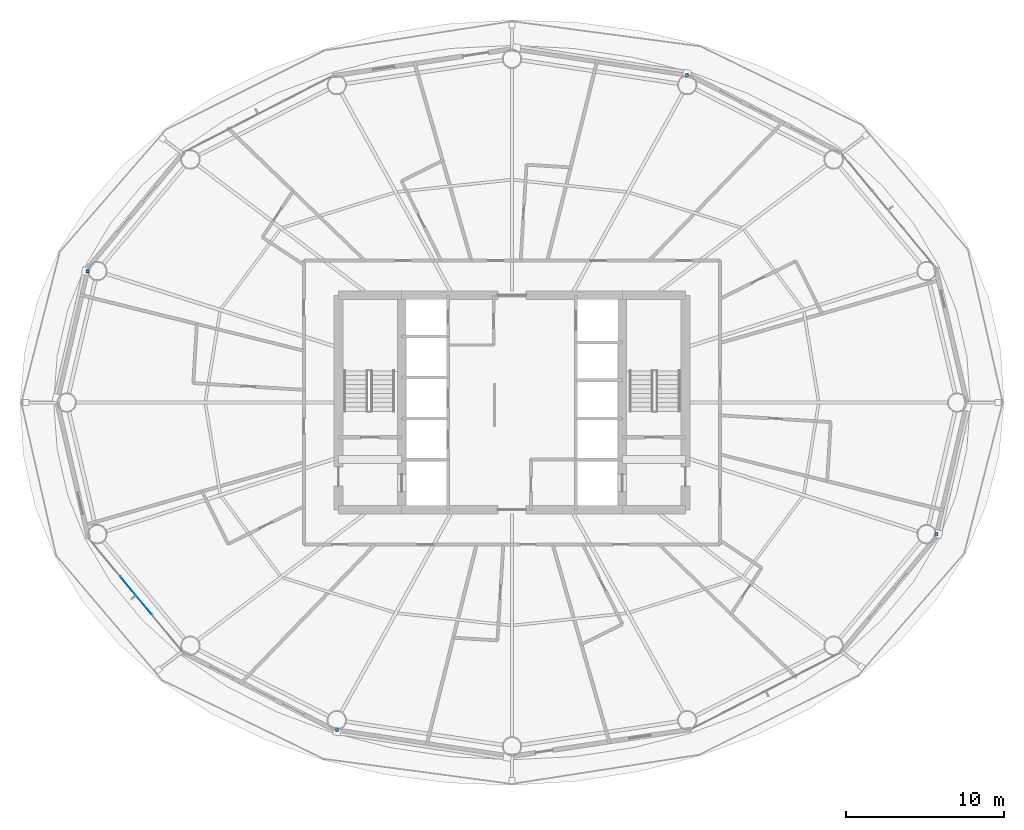
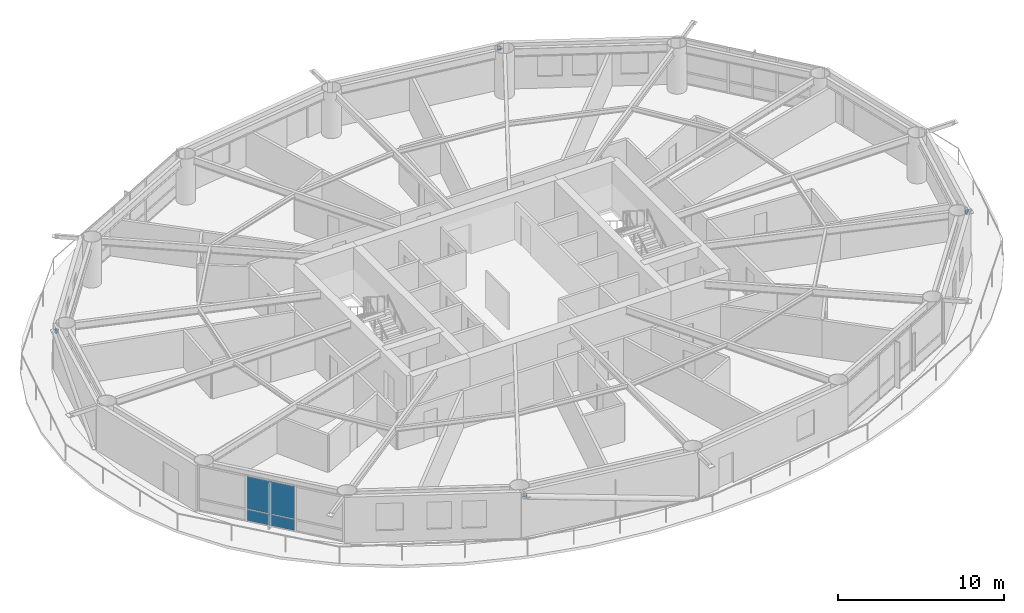
# One storey, part 13 of 24: 4 members, 2 plates, 1 element without a shape of its own.
"""IFC4 building model written with IfcOpenShell, lengths in metres."""

from ifc_helpers import new_model, si_unit, direction, frame, origin, origin_2d, place, context, subcontext, project, spatial, rectangle, hollow_rectangle, extrude, material, layer, layer_set, material_profile, profile_set, type_object, element, aggregate, save


model = new_model("IFC4")

# Units and contexts
model_context = context("Model", 3, precision=1e-05, world=origin(), true_north=direction((0.0, 1.0)))
body_context = subcontext(model_context, "Body", "Model", "MODEL_VIEW")
ifc_project = project(units=[si_unit("LENGTHUNIT", "METRE"), si_unit("AREAUNIT", "SQUARE_METRE"), si_unit("VOLUMEUNIT", "CUBIC_METRE"), si_unit("PLANEANGLEUNIT", "RADIAN"), si_unit("MASSUNIT", "GRAM", prefix="KILO")], contexts=[model_context])

# Site, building, storey
site_placement = place(None, origin())
site = spatial("IfcSite", under=ifc_project, at=site_placement, CompositionType="ELEMENT")
building_placement = place(site_placement, origin())
building = spatial("IfcBuilding", under=site, at=building_placement, Name="Sarneth Arch Tower", CompositionType="ELEMENT")
storey_placement = place(building_placement, frame((0.0, 0.0, 94.800048828125)))
storey = spatial("IfcBuildingStorey", under=building, at=storey_placement, Name="L23", CompositionType="ELEMENT", Elevation=94.800048828125)

# Members
ifc_material_1 = material(Name="Steel S355", Category="steel")
ifc_material_profile = material_profile(ifc_material_1, hollow_rectangle(XDim=0.199951171875, YDim=0.300048828125, WallThickness=0.012451171875, InnerFilletRadius=0.018798828125, OuterFilletRadius=0.03125, at=origin_2d()), Name="RHS300x200x12.5")
ifc_profile_set = profile_set([ifc_material_profile], Name="Steel S355")
member_type = type_object("IfcMemberType", Name="MEM-CANT-STRUT", PredefinedType="STRUT", material=ifc_profile_set)
member_1_placement = place(storey_placement, frame((59.09716796875, 62.680419921875, 3.0126953125), z_axis=(-0.024515790152, 0.999699442849, 0.0), x_axis=(-0.999699442849, -0.024515790152, 0.0)))
element("IfcMember", 1, at=member_1_placement, inside=storey, type_object=member_type, Name="L23 Exoskeleton brace node strut 04B", PredefinedType="STRUT", context=body_context, shape_type="SweptSolid", body=[
    extrude(hollow_rectangle(XDim=0.199951171875, YDim=0.300048828125, WallThickness=0.012451171875, InnerFilletRadius=0.018798828125, OuterFilletRadius=0.03125, at=origin_2d()), origin(), (0.0, 0.0, 1.0), 0.17919921875),
])
member_2_placement = place(storey_placement, frame((21.1689453125, 50.3330078125, 3.0126953125), z_axis=(-0.999835606602, -0.018131733798, 0.0), x_axis=(0.018131733798, -0.999835606602, 0.0)))
element("IfcMember", 2, at=member_2_placement, inside=storey, type_object=member_type, Name="L23 Exoskeleton brace node strut 08B", PredefinedType="STRUT", context=body_context, shape_type="SweptSolid", body=[
    extrude(hollow_rectangle(XDim=0.199951171875, YDim=0.300048828125, WallThickness=0.012451171875, InnerFilletRadius=0.018798828125, OuterFilletRadius=0.03125, at=origin_2d()), origin(), (0.0, 0.0, 1.0), 0.1884765625),
])
member_3_placement = place(storey_placement, frame((36.90283203125, 21.319580078125, 3.0126953125), z_axis=(0.024515790152, -0.999699442849, 0.0), x_axis=(0.999699442849, 0.024515790152, 0.0)))
element("IfcMember", 3, at=member_3_placement, inside=storey, type_object=member_type, Name="L23 Exoskeleton brace node strut 12B", PredefinedType="STRUT", context=body_context, shape_type="SweptSolid", body=[
    extrude(hollow_rectangle(XDim=0.199951171875, YDim=0.300048828125, WallThickness=0.012451171875, InnerFilletRadius=0.018798828125, OuterFilletRadius=0.03125, at=origin_2d()), origin(), (0.0, 0.0, 1.0), 0.17919921875),
])
member_4_placement = place(storey_placement, frame((74.8310546875, 33.6669921875, 3.0126953125), z_axis=(0.999835606602, 0.018131733798, 0.0), x_axis=(-0.018131733798, 0.999835606602, 0.0)))
element("IfcMember", 4, at=member_4_placement, inside=storey, type_object=member_type, Name="L23 Exoskeleton brace node strut 16B", PredefinedType="STRUT", context=body_context, shape_type="SweptSolid", body=[
    extrude(hollow_rectangle(XDim=0.199951171875, YDim=0.300048828125, WallThickness=0.012451171875, InnerFilletRadius=0.018798828125, OuterFilletRadius=0.03125, at=origin_2d()), origin(), (0.0, 0.0, 1.0), 0.1884765625),
])

# Curtain wall, plates
ifc_material_2 = material(Name="Anodised aluminium Type AA25 and solar-control low-e laminated IGU", Category="aluminium")
ifc_layer_1 = layer(ifc_material_2, 0.159912109375)
ifc_layer_set_1 = layer_set([ifc_layer_1], Name="Anodised aluminium Type AA25 and solar-control low-e laminated IGU")
curtain_wall_type = type_object("IfcCurtainWallType", Name="CW-HOTEL-MID", PredefinedType="NOTDEFINED", material=ifc_layer_set_1)
curtain_wall_placement = place(storey_placement, origin())
curtain_wall = element("IfcCurtainWall", 5, at=curtain_wall_placement, inside=storey, type_object=curtain_wall_type, Name="L23 Unitised curtain wall facet 10", PredefinedType="NOTDEFINED")
ifc_material_3 = material(Name="Solar-control low-e laminated IGU", Category="glass")
ifc_layer_2 = layer(ifc_material_3, 0.028076171875)
ifc_layer_set_2 = layer_set([ifc_layer_2], Name="Solar-control low-e laminated IGU")
plate_type = type_object("IfcPlateType", Name="CW-PANEL", PredefinedType="CURTAIN_PANEL", material=ifc_layer_set_2)
plate_1_placement = place(storey_placement, frame((24.1494140625, 29.778076171875, 0.059814453125), z_axis=(0.0, 0.0, 1.0), x_axis=(0.637515188684, -0.770437787363, 0.0)))
plate_1 = element("IfcPlate", 6, at=plate_1_placement, type_object=plate_type, Name="Curtain wall glazed vision pane CW-L23-F10/P01-00", PredefinedType="CURTAIN_PANEL", context=body_context, shape_type="SweptSolid", body=[
    extrude(rectangle(XDim=3.08837890625, YDim=0.028076171875, at=origin_2d()), origin(), (0.0, 0.0, 1.0), 0.81005859375),
])
plate_2_placement = place(storey_placement, frame((24.1494140625, 29.778076171875, 0.93017578125), z_axis=(0.0, 0.0, 1.0), x_axis=(0.637515188684, -0.770437787363, 0.0)))
plate_2 = element("IfcPlate", 7, at=plate_2_placement, type_object=plate_type, Name="Curtain wall glazed vision pane CW-L23-F10/P01-01", PredefinedType="CURTAIN_PANEL", context=body_context, shape_type="SweptSolid", body=[
    extrude(rectangle(XDim=3.08837890625, YDim=0.028076171875, at=origin_2d()), origin(), (0.0, 0.0, 1.0), 2.389892578125),
])
aggregate(curtain_wall, [plate_1, plate_2])

save(model, "model.ifc")
